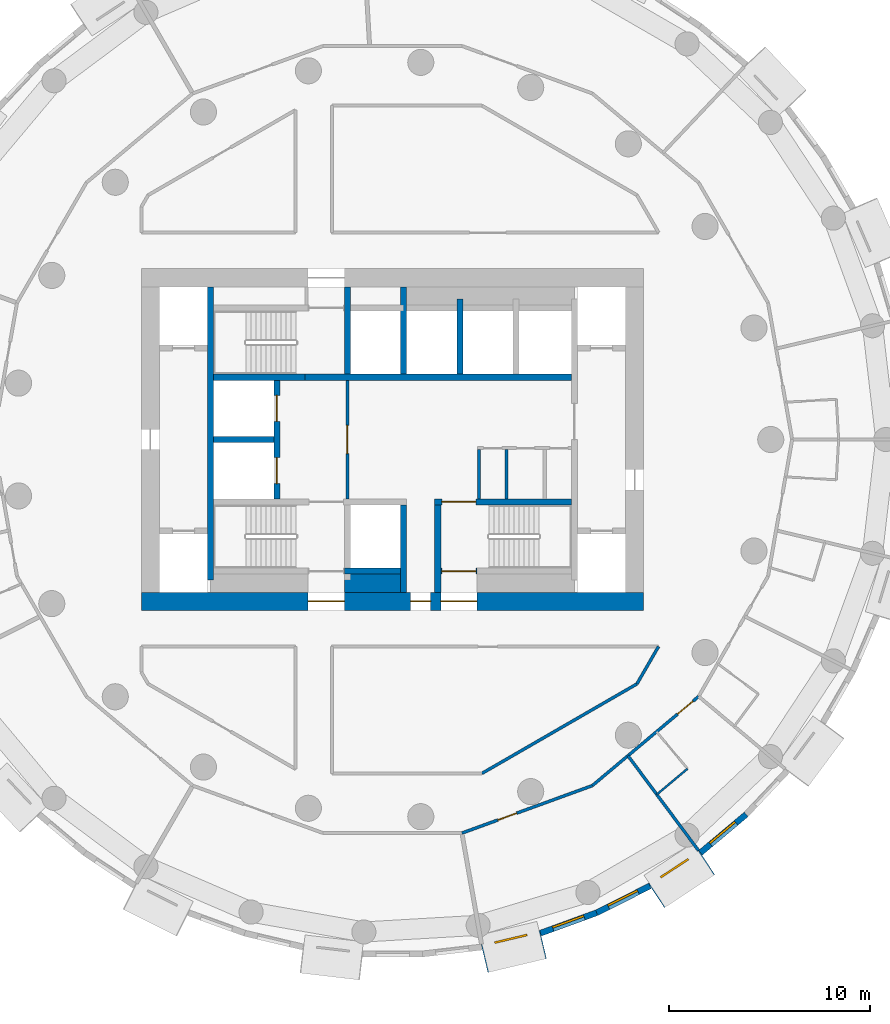
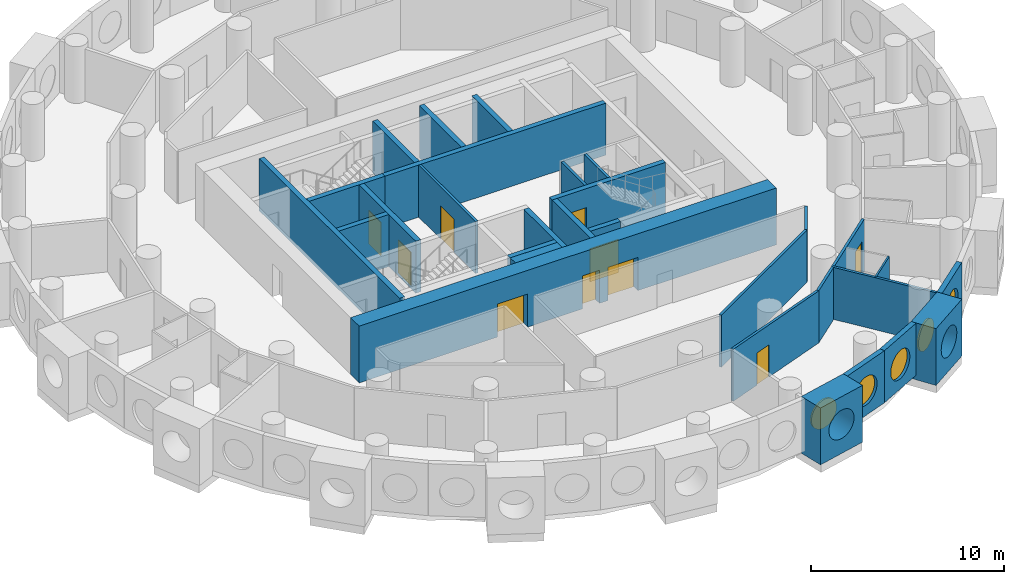
# One storey, part 4 of 10: 29 walls, 10 doors, 5 windows, 15 openings.
"""IFC4 building model written with IfcOpenShell, lengths in metres."""

from ifc_helpers import new_model, si_unit, direction, frame, frame_2d, origin, origin_2d, place, context, subcontext, project, spatial, rectangle, circle, extrude, material, layer, layer_set, type_object, element, fill, save


model = new_model("IFC4")

# Units and contexts
model_context = context("Model", 3, precision=1e-05, world=origin(), true_north=direction((0.0, 1.0)))
body_context = subcontext(model_context, "Body", "Model", "MODEL_VIEW")
ifc_project = project(units=[si_unit("LENGTHUNIT", "METRE"), si_unit("AREAUNIT", "SQUARE_METRE"), si_unit("VOLUMEUNIT", "CUBIC_METRE"), si_unit("PLANEANGLEUNIT", "RADIAN"), si_unit("MASSUNIT", "GRAM", prefix="KILO")], contexts=[model_context])

# Site, building, storey
site_placement = place(None, origin())
site = spatial("IfcSite", under=ifc_project, at=site_placement, CompositionType="ELEMENT")
building_placement = place(site_placement, origin())
building = spatial("IfcBuilding", under=site, at=building_placement, Name="Tracery Tower", CompositionType="ELEMENT")
storey_placement = place(building_placement, frame((0.0, 0.0, 194.39990234375)))
storey = spatial("IfcBuildingStorey", under=building, at=storey_placement, Name="L50", CompositionType="ELEMENT", Elevation=194.39990234375)

# Wall, opening, door
ifc_material_1 = material(Name="Plasterboard on steel studs", Category="steel")
ifc_layer_1 = layer(ifc_material_1, 0.14990234375)
ifc_layer_set_1 = layer_set([ifc_layer_1], Name="Core lobby partition 150")
wall_type_1 = type_object("IfcWallType", Name="Core lobby partition 150", PredefinedType="SOLIDWALL", material=ifc_layer_set_1)
wall_1_placement = place(storey_placement, frame((-2.25, -2.949951171875, 0.0), z_axis=(0.0, 0.0, 1.0), x_axis=(0.0, 1.0, 0.0)))
wall_1 = element("IfcWall", 1, at=wall_1_placement, inside=storey, type_object=wall_type_1, Name="L50 FF lobby E", PredefinedType="SOLIDWALL", context=body_context, shape_type="SweptSolid", body=[
    extrude(rectangle(XDim=5.89990234375, YDim=0.14990234375, at=frame_2d((2.949951171875, 0.0))), origin(), (0.0, 0.0, 1.0), 3.300048828125),
])
opening_1_placement = place(wall_1_placement, frame((2.25, 0.0, 0.0)))
opening_1 = element("IfcOpeningElement", 2, at=opening_1_placement, cuts=wall_1, Name="Opening KD8", PredefinedType="OPENING", context=body_context, shape_type="SweptSolid", body=[
    extrude(rectangle(XDim=1.39990234375, YDim=2.10009765625, at=frame_2d((0.699951171875, 1.050048828125))), frame((0.0, 0.074951171875, 0.0), z_axis=(0.0, -1.0, 0.0), x_axis=(1.0, 0.0, 0.0)), (0.0, 0.0, 1.0), 0.14990234375),
])
ifc_material_2 = material(Name="Steel fire door", Category="steel")
door_type_1 = type_object("IfcDoorType", Name="Core lobby door 1400 double", OperationType="NOTDEFINED", PredefinedType="DOOR", material=ifc_material_2)
door_1_placement = place(opening_1_placement, origin())
door_1 = element("IfcDoor", 3, at=door_1_placement, inside=storey, type_object=door_type_1, Name="Fire-fighting lobby door", OperationType="DOUBLE_DOOR_SINGLE_SWING", OverallHeight=2.10009765625, OverallWidth=1.39990234375, PredefinedType="DOOR", context=body_context, shape_type="SweptSolid", body=[
    extrude(rectangle(XDim=1.39990234375, YDim=2.10009765625, at=frame_2d((0.699951171875, 1.050048828125))), frame((0.0, 0.02490234375, 0.0), z_axis=(0.0, -1.0, 0.0), x_axis=(1.0, 0.0, 0.0)), (0.0, 0.0, 1.0), 0.050048828125),
])
fill(opening_1, door_1)

# Walls
ifc_material_3 = material(Name="Plasterboard on steel studs", Category="steel")
ifc_layer_2 = layer(ifc_material_3, 0.14990234375)
ifc_layer_set_2 = layer_set([ifc_layer_2], Name="Core room partition 150")
wall_type_2 = type_object("IfcWallType", Name="Core room partition 150", PredefinedType="SOLIDWALL", material=ifc_layer_set_2)
for number, where, z_axis, x_axis, name in (
    (4, (4.300048828125, -2.949951171875, 0.0), (0.0, 0.0, 1.0), (0.0, 1.0, 0.0), "L50 slot W"),
    (5, (5.675048828125, -2.949951171875, 0.0), (0.0, 0.0, 1.0), (0.0, 1.0, 0.0), "L50 slot sep 1"),
):
    element("IfcWall", number, at=place(storey_placement, frame(where, z_axis=z_axis, x_axis=x_axis)), inside=storey, type_object=wall_type_2, Name=name, PredefinedType="SOLIDWALL", context=body_context, shape_type="SweptSolid", body=[
        extrude(rectangle(XDim=2.449951171875, YDim=0.14990234375, at=frame_2d((1.22509765625, 0.0))), origin(), (0.0, 0.0, 1.0), 3.300048828125),
    ])
ifc_material_4 = material(Name="Concrete C50/60", Category="concrete")
ifc_layer_3 = layer(ifc_material_4, 0.89990234375)
ifc_layer_set_3 = layer_set([ifc_layer_3], Name="Core strip wall 900 C50")
wall_type_3 = type_object("IfcWallType", Name="Core strip wall 900 C50", PredefinedType="SOLIDWALL", material=ifc_layer_set_3)
wall_2_placement = place(storey_placement, frame((-2.39990234375, -7.14990234375, 0.0), z_axis=(0.0, 0.0, 1.0), x_axis=(1.0, 0.0, 0.0)))
element("IfcWall", 6, at=wall_2_placement, inside=storey, type_object=wall_type_3, Name="L50 F thick S mid", PredefinedType="SOLIDWALL", context=body_context, shape_type="SweptSolid", body=[
    extrude(rectangle(XDim=2.7998046875, YDim=0.89990234375, at=frame_2d((1.39990234375, 0.0))), origin(), (0.0, 0.0, 1.0), 3.300048828125),
])

# Wall, openings, doors
ifc_material_5 = material(Name="Concrete C50/60", Category="concrete")
ifc_layer_4 = layer(ifc_material_5, 0.89990234375)
ifc_layer_set_4 = layer_set([ifc_layer_4], Name="Core wall 900 C50")
wall_type_4 = type_object("IfcWallType", Name="Core wall 900 C50", PredefinedType="SOLIDWALL", material=ifc_layer_set_4)
wall_3_placement = place(storey_placement, frame((-12.5, -8.050048828125, 0.0), z_axis=(0.0, 0.0, 1.0), x_axis=(1.0, 0.0, 0.0)))
wall_3 = element("IfcWall", 7, at=wall_3_placement, inside=storey, type_object=wall_type_4, Name="L50 outer S", PredefinedType="SOLIDWALL", context=body_context, shape_type="SweptSolid", body=[
    extrude(rectangle(XDim=25.0, YDim=0.89990234375, at=frame_2d((12.5, 0.0))), origin(), (0.0, 0.0, 1.0), 3.60009765625),
])
opening_2_placement = place(wall_3_placement, frame((13.39990234375, 0.0, 0.0)))
opening_2 = element("IfcOpeningElement", 8, at=opening_2_placement, cuts=wall_3, Name="Opening KD16", PredefinedType="OPENING", context=body_context, shape_type="SweptSolid", body=[
    extrude(rectangle(XDim=1.0, YDim=2.10009765625, at=frame_2d((0.5, 1.050048828125))), frame((0.0, 0.449951171875, 0.0), z_axis=(0.0, -1.0, 0.0), x_axis=(1.0, 0.0, 0.0)), (0.0, 0.0, 1.0), 0.89990234375),
])
opening_3_placement = place(wall_3_placement, frame((8.300048828125, 0.0, 0.0)))
opening_3 = element("IfcOpeningElement", 9, at=opening_3_placement, cuts=wall_3, Name="Opening KD13", PredefinedType="OPENING", context=body_context, shape_type="SweptSolid", body=[
    extrude(rectangle(XDim=1.800048828125, YDim=2.10009765625, at=frame_2d((0.89990234375, 1.050048828125))), frame((0.0, 0.449951171875, 0.0), z_axis=(0.0, -1.0, 0.0), x_axis=(1.0, 0.0, 0.0)), (0.0, 0.0, 1.0), 0.89990234375),
])
opening_4_placement = place(wall_3_placement, frame((14.89990234375, 0.0, 0.0)))
opening_4 = element("IfcOpeningElement", 10, at=opening_4_placement, cuts=wall_3, Name="Opening KD13", PredefinedType="OPENING", context=body_context, shape_type="SweptSolid", body=[
    extrude(rectangle(XDim=1.800048828125, YDim=2.10009765625, at=frame_2d((0.89990234375, 1.050048828125))), frame((0.0, 0.449951171875, 0.0), z_axis=(0.0, -1.0, 0.0), x_axis=(1.0, 0.0, 0.0)), (0.0, 0.0, 1.0), 0.89990234375),
])
ifc_material_6 = material(Name="Steel fire door", Category="steel")
door_type_2 = type_object("IfcDoorType", Name="Core exit door 1000", OperationType="NOTDEFINED", PredefinedType="DOOR", material=ifc_material_6)
door_2_placement = place(opening_2_placement, origin())
door_2 = element("IfcDoor", 11, at=door_2_placement, inside=storey, type_object=door_type_2, Name="Core exit door", OperationType="SINGLE_SWING_LEFT", OverallHeight=2.10009765625, OverallWidth=1.0, PredefinedType="DOOR", context=body_context, shape_type="SweptSolid", body=[
    extrude(rectangle(XDim=1.0, YDim=2.10009765625, at=frame_2d((0.5, 1.050048828125))), frame((0.0, 0.02490234375, 0.0), z_axis=(0.0, -1.0, 0.0), x_axis=(1.0, 0.0, 0.0)), (0.0, 0.0, 1.0), 0.050048828125),
])
fill(opening_2, door_2)
ifc_material_7 = material(Name="Steel fire door", Category="steel")
door_type_3 = type_object("IfcDoorType", Name="Core exit door 1800 double", OperationType="NOTDEFINED", PredefinedType="DOOR", material=ifc_material_7)
door_3_placement = place(opening_3_placement, origin())
door_3 = element("IfcDoor", 12, at=door_3_placement, inside=storey, type_object=door_type_3, Name="Core exit door", OperationType="DOUBLE_DOOR_SINGLE_SWING", OverallHeight=2.10009765625, OverallWidth=1.800048828125, PredefinedType="DOOR", context=body_context, shape_type="SweptSolid", body=[
    extrude(rectangle(XDim=1.800048828125, YDim=2.10009765625, at=frame_2d((0.89990234375, 1.050048828125))), frame((0.0, 0.02490234375, 0.0), z_axis=(0.0, -1.0, 0.0), x_axis=(1.0, 0.0, 0.0)), (0.0, 0.0, 1.0), 0.050048828125),
])
fill(opening_3, door_3)
door_4_placement = place(opening_4_placement, origin())
door_4 = element("IfcDoor", 13, at=door_4_placement, inside=storey, type_object=door_type_3, Name="Core exit door", OperationType="DOUBLE_DOOR_SINGLE_SWING", OverallHeight=2.10009765625, OverallWidth=1.800048828125, PredefinedType="DOOR", context=body_context, shape_type="SweptSolid", body=[
    extrude(rectangle(XDim=1.800048828125, YDim=2.10009765625, at=frame_2d((0.89990234375, 1.050048828125))), frame((0.0, 0.02490234375, 0.0), z_axis=(0.0, -1.0, 0.0), x_axis=(1.0, 0.0, 0.0)), (0.0, 0.0, 1.0), 0.050048828125),
])
fill(opening_4, door_4)

# Wall, opening, window
ifc_material_8 = material(Name="Precast concrete C50/60", Category="concrete")
ifc_layer_5 = layer(ifc_material_8, 1.449951171875)
ifc_layer_set_5 = layer_set([ifc_layer_5], Name="Deep-set bay unit 3000 x 3600, slab edge 300")
wall_type_5 = type_object("IfcWallType", Name="Deep-set bay unit 3000 x 3600, slab edge 300", PredefinedType="ELEMENTEDWALL", material=ifc_layer_set_5)
wall_4_placement = place(storey_placement, frame((4.57763671875, -25.8193359375, -0.2998046875), z_axis=(0.0, 0.0, 1.0), x_axis=(0.973042333261, 0.23062657627, 0.0)))
wall_4 = element("IfcWall", 14, at=wall_4_placement, inside=storey, type_object=wall_type_5, Name="Deep-set bay unit 43 at L50", PredefinedType="ELEMENTEDWALL", context=body_context, shape_type="SweptSolid", body=[
    extrude(rectangle(XDim=3.0, YDim=1.449951171875, at=frame_2d((1.5, 0.0))), origin(), (0.0, 0.0, 1.0), 3.599853515625),
])
opening_5_placement = place(wall_4_placement, frame((1.5, 0.0, 1.85009765625)))
opening_5 = element("IfcOpeningElement", 15, at=opening_5_placement, cuts=wall_4, Name="Opening WN1", PredefinedType="OPENING", context=body_context, shape_type="SweptSolid", body=[
    extrude(circle(Radius=0.9000244140625, at=origin_2d()), frame((0.0, 0.73486328125, 0.0), z_axis=(0.0, -1.0, 0.0), x_axis=(1.0, 0.0, 0.0)), (0.0, 0.0, 1.0), 1.469970703125),
])
ifc_material_9 = material(Name="Aluminium frame with tinted double glazing", Category="aluminium")
window_type = type_object("IfcWindowType", Name="Round window 1800", PartitioningType="SINGLE_PANEL", PredefinedType="WINDOW", material=ifc_material_9)
window_1_placement = place(opening_5_placement, origin())
window_1 = element("IfcWindow", 16, at=window_1_placement, inside=storey, type_object=window_type, Name="Round window 43 at L50", OverallHeight=1.800048828125, OverallWidth=1.800048828125, PartitioningType="SINGLE_PANEL", PredefinedType="WINDOW", context=body_context, shape_type="SweptSolid", body=[
    extrude(circle(Radius=0.9000244140625, at=origin_2d()), frame((0.0, 0.69482421875, 0.0), z_axis=(0.0, -1.0, 0.0), x_axis=(1.0, 0.0, 0.0)), (0.0, 0.0, 1.0), 0.10009765625),
])
fill(opening_5, window_1)

wall_5_placement = place(storey_placement, frame((13.13232421875, -22.696533203125, -0.2998046875), z_axis=(0.0, 0.0, 1.0), x_axis=(0.835514416706, 0.549468524554, 0.0)))
wall_5 = element("IfcWall", 17, at=wall_5_placement, inside=storey, type_object=wall_type_5, Name="Deep-set bay unit 46 at L50", PredefinedType="ELEMENTEDWALL", context=body_context, shape_type="SweptSolid", body=[
    extrude(rectangle(XDim=3.0, YDim=1.449951171875, at=frame_2d((1.5, 0.0))), origin(), (0.0, 0.0, 1.0), 3.599853515625),
])
opening_6_placement = place(wall_5_placement, frame((1.5, 0.0, 1.85009765625)))
opening_6 = element("IfcOpeningElement", 18, at=opening_6_placement, cuts=wall_5, Name="Opening WN1", PredefinedType="OPENING", context=body_context, shape_type="SweptSolid", body=[
    extrude(circle(Radius=0.9000244140625, at=origin_2d()), frame((0.0, 0.73486328125, 0.0), z_axis=(0.0, -1.0, 0.0), x_axis=(1.0, 0.0, 0.0)), (0.0, 0.0, 1.0), 1.469970703125),
])
window_2_placement = place(opening_6_placement, origin())
window_2 = element("IfcWindow", 19, at=window_2_placement, inside=storey, type_object=window_type, Name="Round window 46 at L50", OverallHeight=1.800048828125, OverallWidth=1.800048828125, PartitioningType="SINGLE_PANEL", PredefinedType="WINDOW", context=body_context, shape_type="SweptSolid", body=[
    extrude(circle(Radius=0.9000244140625, at=origin_2d()), frame((0.0, 0.69482421875, 0.0), z_axis=(0.0, -1.0, 0.0), x_axis=(1.0, 0.0, 0.0)), (0.0, 0.0, 1.0), 0.10009765625),
])
fill(opening_6, window_2)

ifc_material_10 = material(Name="Precast concrete C50/60", Category="concrete")
ifc_layer_6 = layer(ifc_material_10, 0.300048828125)
ifc_layer_set_6 = layer_set([ifc_layer_6], Name="Facade panel 3000 x 3300")
wall_type_6 = type_object("IfcWallType", Name="Facade panel 3000 x 3300", PredefinedType="SOLIDWALL", material=ifc_layer_set_6)
wall_6_placement = place(storey_placement, frame((7.36474609375, -24.566650390625, 0.0), z_axis=(0.0, 0.0, 1.0), x_axis=(0.939690282133, 0.342026568652, 0.0)))
wall_6 = element("IfcWall", 20, at=wall_6_placement, inside=storey, type_object=wall_type_6, Name="Facade panel 44 at L50", PredefinedType="SOLIDWALL", context=body_context, shape_type="SweptSolid", body=[
    extrude(rectangle(XDim=2.972900390625, YDim=0.300048828125, at=frame_2d((1.486328125, 0.0))), origin(), (0.0, 0.0, 1.0), 3.300048828125),
])
opening_7_placement = place(wall_6_placement, frame((1.486328125, 0.0, 1.5498046875)))
opening_7 = element("IfcOpeningElement", 21, at=opening_7_placement, cuts=wall_6, Name="Opening WN1", PredefinedType="OPENING", context=body_context, shape_type="SweptSolid", body=[
    extrude(circle(Radius=0.9000244140625, at=origin_2d()), frame((0.0, 0.159912109375, 0.0), z_axis=(0.0, -1.0, 0.0), x_axis=(1.0, 0.0, 0.0)), (0.0, 0.0, 1.0), 0.320068359375),
])
window_3_placement = place(opening_7_placement, origin())
window_3 = element("IfcWindow", 22, at=window_3_placement, inside=storey, type_object=window_type, Name="Round window 44 at L50", OverallHeight=1.800048828125, OverallWidth=1.800048828125, PartitioningType="SINGLE_PANEL", PredefinedType="WINDOW", context=body_context, shape_type="SweptSolid", body=[
    extrude(circle(Radius=0.9000244140625, at=origin_2d()), frame((0.0, 0.1201171875, 0.0), z_axis=(0.0, -1.0, 0.0), x_axis=(1.0, 0.0, 0.0)), (0.0, 0.0, 1.0), 0.10009765625),
])
fill(opening_7, window_3)

wall_7_placement = place(storey_placement, frame((10.158447265625, -23.5498046875, 0.0), z_axis=(0.0, 0.0, 1.0), x_axis=(0.893637442555, 0.448789618045, 0.0)))
wall_7 = element("IfcWall", 23, at=wall_7_placement, inside=storey, type_object=wall_type_6, Name="Facade panel 45 at L50", PredefinedType="SOLIDWALL", context=body_context, shape_type="SweptSolid", body=[
    extrude(rectangle(XDim=2.972900390625, YDim=0.300048828125, at=frame_2d((1.486328125, 0.0))), origin(), (0.0, 0.0, 1.0), 3.300048828125),
])
opening_8_placement = place(wall_7_placement, frame((1.486328125, 0.0, 1.5498046875)))
opening_8 = element("IfcOpeningElement", 24, at=opening_8_placement, cuts=wall_7, Name="Opening WN1", PredefinedType="OPENING", context=body_context, shape_type="SweptSolid", body=[
    extrude(circle(Radius=0.9000244140625, at=origin_2d()), frame((0.0, 0.159912109375, 0.0), z_axis=(0.0, -1.0, 0.0), x_axis=(1.0, 0.0, 0.0)), (0.0, 0.0, 1.0), 0.320068359375),
])
window_4_placement = place(opening_8_placement, origin())
window_4 = element("IfcWindow", 25, at=window_4_placement, inside=storey, type_object=window_type, Name="Round window 45 at L50", OverallHeight=1.800048828125, OverallWidth=1.800048828125, PartitioningType="SINGLE_PANEL", PredefinedType="WINDOW", context=body_context, shape_type="SweptSolid", body=[
    extrude(circle(Radius=0.9000244140625, at=origin_2d()), frame((0.0, 0.1201171875, 0.0), z_axis=(0.0, -1.0, 0.0), x_axis=(1.0, 0.0, 0.0)), (0.0, 0.0, 1.0), 0.10009765625),
])
fill(opening_8, window_4)

wall_8_placement = place(storey_placement, frame((15.322998046875, -20.566162109375, 0.0), z_axis=(0.0, 0.0, 1.0), x_axis=(0.766049350637, 0.642781761089, 0.0)))
wall_8 = element("IfcWall", 26, at=wall_8_placement, inside=storey, type_object=wall_type_6, Name="Facade panel 47 at L50", PredefinedType="SOLIDWALL", context=body_context, shape_type="SweptSolid", body=[
    extrude(rectangle(XDim=2.972900390625, YDim=0.300048828125, at=frame_2d((1.486328125, 0.0))), origin(), (0.0, 0.0, 1.0), 3.300048828125),
])
opening_9_placement = place(wall_8_placement, frame((1.486328125, 0.0, 1.5498046875)))
opening_9 = element("IfcOpeningElement", 27, at=opening_9_placement, cuts=wall_8, Name="Opening WN1", PredefinedType="OPENING", context=body_context, shape_type="SweptSolid", body=[
    extrude(circle(Radius=0.9000244140625, at=origin_2d()), frame((0.0, 0.159912109375, 0.0), z_axis=(0.0, -1.0, 0.0), x_axis=(1.0, 0.0, 0.0)), (0.0, 0.0, 1.0), 0.320068359375),
])
window_5_placement = place(opening_9_placement, origin())
window_5 = element("IfcWindow", 28, at=window_5_placement, inside=storey, type_object=window_type, Name="Round window 47 at L50", OverallHeight=1.800048828125, OverallWidth=1.800048828125, PartitioningType="SINGLE_PANEL", PredefinedType="WINDOW", context=body_context, shape_type="SweptSolid", body=[
    extrude(circle(Radius=0.9000244140625, at=origin_2d()), frame((0.0, 0.1201171875, 0.0), z_axis=(0.0, -1.0, 0.0), x_axis=(1.0, 0.0, 0.0)), (0.0, 0.0, 1.0), 0.10009765625),
])
fill(opening_9, window_5)

# Walls
ifc_material_11 = material(Name="Plasterboard on steel studs", Category="steel")
ifc_layer_7 = layer(ifc_material_11, 0.10009765625)
ifc_layer_set_7 = layer_set([ifc_layer_7], Name="Partition 100 wet wall")
wall_type_7 = type_object("IfcWallType", Name="Partition 100 wet wall", PredefinedType="PARTITIONING", material=ifc_layer_set_7)
wall_9_placement = place(storey_placement, frame((13.15087890625, -17.6650390625, 0.0), z_axis=(0.0, 0.0, 1.0), x_axis=(0.766224532916, 0.642572925945, 0.0)))
element("IfcWall", 29, at=wall_9_placement, inside=storey, type_object=wall_type_7, Name="Wet wall RB7-058", PredefinedType="PARTITIONING", context=body_context, shape_type="SweptSolid", body=[
    extrude(rectangle(XDim=1.998046875, YDim=0.10009765625, at=frame_2d((0.9990234375, 0.0))), origin(), (0.0, 0.0, 1.0), 3.300048828125),
])
ifc_material_12 = material(Name="Plasterboard on steel studs", Category="steel")
ifc_layer_8 = layer(ifc_material_12, 0.14990234375)
ifc_layer_set_8 = layer_set([ifc_layer_8], Name="Partition 150 acoustic unit wall")
wall_type_8 = type_object("IfcWallType", Name="Partition 150 acoustic unit wall", PredefinedType="PARTITIONING", material=ifc_layer_set_8)
wall_10_placement = place(storey_placement, frame((11.716796875, -15.736328125, 0.0), z_axis=(0.0, 0.0, 1.0), x_axis=(0.597012012598, -0.802232296043, 0.0)))
element("IfcWall", 30, at=wall_10_placement, inside=storey, type_object=wall_type_8, Name="Unit wall RB7-057", PredefinedType="PARTITIONING", context=body_context, shape_type="SweptSolid", body=[
    extrude(rectangle(XDim=5.878173828125, YDim=0.14990234375, at=frame_2d((2.93896484375, 0.0))), origin(), (0.0, 0.0, 1.0), 3.300048828125),
])
ifc_material_13 = material(Name="Plasterboard on steel studs", Category="steel")
ifc_layer_9 = layer(ifc_material_13, 0.14990234375)
ifc_layer_set_9 = layer_set([ifc_layer_9], Name="Partition 150 corridor wall")
wall_type_9 = type_object("IfcWallType", Name="Partition 150 corridor wall", PredefinedType="PARTITIONING", material=ifc_layer_set_9)
wall_11_placement = place(storey_placement, frame((12.162109375, -12.162109375, 0.0), z_axis=(0.0, 0.0, 1.0), x_axis=(0.499961633463, 0.866047553582, 0.0)))
element("IfcWall", 31, at=wall_11_placement, inside=storey, type_object=wall_type_9, Name="Corridor wall RB7-006", PredefinedType="PARTITIONING", context=body_context, shape_type="SweptSolid", body=[
    extrude(rectangle(XDim=2.150146484375, YDim=0.14990234375, at=frame_2d((1.0751953125, 0.0))), origin(), (0.0, 0.0, 1.0), 3.300048828125),
])

# Wall, opening, door
wall_12_placement = place(storey_placement, frame((9.943359375, -17.22216796875, 0.0), z_axis=(0.0, 0.0, 1.0), x_axis=(0.766192104565, 0.642611592567, 0.0)))
wall_12 = element("IfcWall", 32, at=wall_12_placement, inside=storey, type_object=wall_type_9, Name="Corridor wall RB7-010", PredefinedType="PARTITIONING", context=body_context, shape_type="SweptSolid", body=[
    extrude(rectangle(XDim=6.906494140625, YDim=0.14990234375, at=frame_2d((3.453125, 0.0))), origin(), (0.0, 0.0, 1.0), 3.300048828125),
])
opening_10_placement = place(wall_12_placement, frame((5.53662109375, 0.0, 0.0)))
opening_10 = element("IfcOpeningElement", 33, at=opening_10_placement, cuts=wall_12, Name="Opening RB7-20", PredefinedType="OPENING", context=body_context, shape_type="SweptSolid", body=[
    extrude(rectangle(XDim=1.0, YDim=2.10009765625, at=frame_2d((0.5, 1.050048828125))), frame((0.0, 0.074951171875, 0.0), z_axis=(0.0, -1.0, 0.0), x_axis=(1.0, 0.0, 0.0)), (0.0, 0.0, 1.0), 0.14990234375),
])
ifc_material_14 = material(Name="Timber door leaf", Category="wood")
door_type_4 = type_object("IfcDoorType", Name="Door unit entrance 1000", OperationType="NOTDEFINED", PredefinedType="DOOR", material=ifc_material_14)
door_5_placement = place(opening_10_placement, origin())
door_5 = element("IfcDoor", 34, at=door_5_placement, inside=storey, type_object=door_type_4, Name="Unit entrance door RB7-20", OperationType="SINGLE_SWING_RIGHT", OverallHeight=2.10009765625, OverallWidth=1.0, PredefinedType="DOOR", context=body_context, shape_type="SweptSolid", body=[
    extrude(rectangle(XDim=1.0, YDim=2.10009765625, at=frame_2d((0.5, 1.050048828125))), frame((0.0, 0.02490234375, 0.0), z_axis=(0.0, -1.0, 0.0), x_axis=(1.0, 0.0, 0.0)), (0.0, 0.0, 1.0), 0.050048828125),
])
fill(opening_10, door_5)

# Wall
wall_13_placement = place(storey_placement, frame((4.451904296875, -16.614013671875, 0.0), z_axis=(0.0, 0.0, 1.0), x_axis=(0.866005203721, 0.500034985904, 0.0)))
element("IfcWall", 35, at=wall_13_placement, inside=storey, type_object=wall_type_9, Name="Corridor wall RB7-036", PredefinedType="PARTITIONING", context=body_context, shape_type="SweptSolid", body=[
    extrude(rectangle(XDim=8.903076171875, YDim=0.14990234375, at=frame_2d((4.45166015625, 0.0))), origin(), (0.0, 0.0, 1.0), 3.300048828125),
])

# Wall, opening, door
wall_14_placement = place(storey_placement, frame((3.452880859375, -19.5859375, 0.0), z_axis=(0.0, 0.0, 1.0), x_axis=(0.939672634566, 0.342075050021, 0.0)))
wall_14 = element("IfcWall", 36, at=wall_14_placement, inside=storey, type_object=wall_type_9, Name="Corridor wall RB7-039", PredefinedType="PARTITIONING", context=body_context, shape_type="SweptSolid", body=[
    extrude(rectangle(XDim=6.907958984375, YDim=0.14990234375, at=frame_2d((3.4541015625, 0.0))), origin(), (0.0, 0.0, 1.0), 3.300048828125),
])
opening_11_placement = place(wall_14_placement, frame((1.90380859375, 0.0, 0.0)))
opening_11 = element("IfcOpeningElement", 37, at=opening_11_placement, cuts=wall_14, Name="Opening RB7-18", PredefinedType="OPENING", context=body_context, shape_type="SweptSolid", body=[
    extrude(rectangle(XDim=1.0, YDim=2.0400390625, at=frame_2d((0.5, 1.02001953125))), frame((0.0, 0.074951171875, 0.0), z_axis=(0.0, -1.0, 0.0), x_axis=(1.0, 0.0, 0.0)), (0.0, 0.0, 1.0), 0.14990234375),
])
ifc_material_15 = material(Name="Timber door leaf", Category="wood")
door_type_5 = type_object("IfcDoorType", Name="Door communal room 1000", OperationType="NOTDEFINED", PredefinedType="DOOR", material=ifc_material_15)
door_6_placement = place(opening_11_placement, origin())
door_6 = element("IfcDoor", 38, at=door_6_placement, inside=storey, type_object=door_type_5, Name="Communal room door RB7-18", OperationType="SINGLE_SWING_RIGHT", OverallHeight=2.0400390625, OverallWidth=1.0, PredefinedType="DOOR", context=body_context, shape_type="SweptSolid", body=[
    extrude(rectangle(XDim=1.0, YDim=2.0400390625, at=frame_2d((0.5, 1.02001953125))), frame((0.0, 0.02490234375, 0.0), z_axis=(0.0, -1.0, 0.0), x_axis=(1.0, 0.0, 0.0)), (0.0, 0.0, 1.0), 0.050048828125),
])
fill(opening_11, door_6)

# Wall
ifc_material_16 = material(Name="Concrete C50/60", Category="concrete")
ifc_layer_10 = layer(ifc_material_16, 0.300048828125)
ifc_layer_set_10 = layer_set([ifc_layer_10], Name="Shaft wall 300 C50")
wall_type_10 = type_object("IfcWallType", Name="Shaft wall 300 C50", PredefinedType="SOLIDWALL", material=ifc_layer_set_10)
wall_15_placement = place(storey_placement, frame((-8.89990234375, 0.0, 0.0), z_axis=(0.0, 0.0, 1.0), x_axis=(1.0, 0.0, 0.0)))
element("IfcWall", 39, at=wall_15_placement, inside=storey, type_object=wall_type_10, Name="L50 FF split", PredefinedType="SOLIDWALL", context=body_context, shape_type="SweptSolid", body=[
    extrude(rectangle(XDim=3.0, YDim=0.300048828125, at=frame_2d((1.5, 0.0))), origin(), (0.0, 0.0, 1.0), 3.300048828125),
])

# Wall, openings, doors
wall_16_placement = place(storey_placement, frame((-5.75, -2.949951171875, 0.0), z_axis=(0.0, 0.0, 1.0), x_axis=(0.0, 1.0, 0.0)))
wall_16 = element("IfcWall", 40, at=wall_16_placement, inside=storey, type_object=wall_type_10, Name="L50 FF doors", PredefinedType="SOLIDWALL", context=body_context, shape_type="SweptSolid", body=[
    extrude(rectangle(XDim=5.89990234375, YDim=0.300048828125, at=frame_2d((2.949951171875, 0.0))), origin(), (0.0, 0.0, 1.0), 3.300048828125),
])
opening_12_placement = place(wall_16_placement, frame((0.75, 0.0, 0.0)))
opening_12 = element("IfcOpeningElement", 41, at=opening_12_placement, cuts=wall_16, Name="Opening KD54", PredefinedType="OPENING", context=body_context, shape_type="SweptSolid", body=[
    extrude(rectangle(XDim=1.300048828125, YDim=2.10009765625, at=frame_2d((0.64990234375, 1.050048828125))), frame((0.0, 0.14990234375, 0.0), z_axis=(0.0, -1.0, 0.0), x_axis=(1.0, 0.0, 0.0)), (0.0, 0.0, 1.0), 0.300048828125),
])
opening_13_placement = place(wall_16_placement, frame((3.85009765625, 0.0, 0.0)))
opening_13 = element("IfcOpeningElement", 42, at=opening_13_placement, cuts=wall_16, Name="Opening KD55", PredefinedType="OPENING", context=body_context, shape_type="SweptSolid", body=[
    extrude(rectangle(XDim=1.300048828125, YDim=2.10009765625, at=frame_2d((0.64990234375, 1.050048828125))), frame((0.0, 0.14990234375, 0.0), z_axis=(0.0, -1.0, 0.0), x_axis=(1.0, 0.0, 0.0)), (0.0, 0.0, 1.0), 0.300048828125),
])
ifc_material_17 = material(Name="Steel fire door", Category="steel")
door_type_6 = type_object("IfcDoorType", Name="Landing door FF 1300", OperationType="NOTDEFINED", PredefinedType="DOOR", material=ifc_material_17)
door_7_placement = place(opening_12_placement, origin())
door_7 = element("IfcDoor", 43, at=door_7_placement, inside=storey, type_object=door_type_6, Name="Landing door FF1", OperationType="SLIDING_TO_LEFT", OverallHeight=2.10009765625, OverallWidth=1.300048828125, PredefinedType="DOOR", context=body_context, shape_type="SweptSolid", body=[
    extrude(rectangle(XDim=1.300048828125, YDim=2.10009765625, at=frame_2d((0.64990234375, 1.050048828125))), frame((0.0, 0.02490234375, 0.0), z_axis=(0.0, -1.0, 0.0), x_axis=(1.0, 0.0, 0.0)), (0.0, 0.0, 1.0), 0.050048828125),
])
fill(opening_12, door_7)
door_8_placement = place(opening_13_placement, origin())
door_8 = element("IfcDoor", 44, at=door_8_placement, inside=storey, type_object=door_type_6, Name="Landing door FF2", OperationType="SLIDING_TO_RIGHT", OverallHeight=2.10009765625, OverallWidth=1.300048828125, PredefinedType="DOOR", context=body_context, shape_type="SweptSolid", body=[
    extrude(rectangle(XDim=1.300048828125, YDim=2.10009765625, at=frame_2d((0.64990234375, 1.050048828125))), frame((0.0, 0.02490234375, 0.0), z_axis=(0.0, -1.0, 0.0), x_axis=(1.0, 0.0, 0.0)), (0.0, 0.0, 1.0), 0.050048828125),
])
fill(opening_13, door_8)

# Walls
for number, where, z_axis, x_axis, name in (
    (45, (0.550048828125, -7.60009765625, 0.0), (0.0, 0.0, 1.0), (0.0, 1.0, 0.0), "L50 OB2 E"),
    (46, (0.550048828125, 3.25, 0.0), (0.0, 0.0, 1.0), (0.0, 1.0, 0.0), "L50 HR sep 1"),
):
    element("IfcWall", number, at=place(storey_placement, frame(where, z_axis=z_axis, x_axis=x_axis)), inside=storey, type_object=wall_type_10, Name=name, PredefinedType="SOLIDWALL", context=body_context, shape_type="SweptSolid", body=[
        extrude(rectangle(XDim=4.35009765625, YDim=0.300048828125, at=frame_2d((2.175048828125, 0.0))), origin(), (0.0, 0.0, 1.0), 3.300048828125),
    ])
wall_17_placement = place(storey_placement, frame((3.35009765625, 3.25, 0.0), z_axis=(0.0, 0.0, 1.0), x_axis=(0.0, 1.0, 0.0)))
element("IfcWall", 47, at=wall_17_placement, inside=storey, type_object=wall_type_10, Name="L50 HR sep 2", PredefinedType="SOLIDWALL", context=body_context, shape_type="SweptSolid", body=[
    extrude(rectangle(XDim=3.75, YDim=0.300048828125, at=frame_2d((1.875, 0.0))), origin(), (0.0, 0.0, 1.0), 3.300048828125),
])

# Wall, opening, door
ifc_material_18 = material(Name="Concrete C50/60", Category="concrete")
ifc_layer_11 = layer(ifc_material_18, 0.300048828125)
ifc_layer_set_11 = layer_set([ifc_layer_11], Name="Stair wall 300 C50")
wall_type_11 = type_object("IfcWallType", Name="Stair wall 300 C50", PredefinedType="SOLIDWALL", material=ifc_layer_set_11)
wall_18_placement = place(storey_placement, frame((2.10009765625, -3.10009765625, 0.0), z_axis=(0.0, 0.0, 1.0), x_axis=(1.0, 0.0, 0.0)))
wall_18 = element("IfcWall", 48, at=wall_18_placement, inside=storey, type_object=wall_type_11, Name="L50 row S E", PredefinedType="SOLIDWALL", context=body_context, shape_type="SweptSolid", body=[
    extrude(rectangle(XDim=6.7998046875, YDim=0.300048828125, at=frame_2d((3.39990234375, 0.0))), origin(), (0.0, 0.0, 1.0), 3.300048828125),
])
opening_14_placement = place(wall_18_placement, frame((0.35009765625, 0.0, 0.0)))
opening_14 = element("IfcOpeningElement", 49, at=opening_14_placement, cuts=wall_18, Name="Opening KD3", PredefinedType="OPENING", context=body_context, shape_type="SweptSolid", body=[
    extrude(rectangle(XDim=1.699951171875, YDim=2.10009765625, at=frame_2d((0.85009765625, 1.050048828125))), frame((0.0, 0.14990234375, 0.0), z_axis=(0.0, -1.0, 0.0), x_axis=(1.0, 0.0, 0.0)), (0.0, 0.0, 1.0), 0.300048828125),
])
ifc_material_19 = material(Name="Steel fire door", Category="steel")
door_type_7 = type_object("IfcDoorType", Name="Core stair door 1700 double", OperationType="NOTDEFINED", PredefinedType="DOOR", material=ifc_material_19)
door_9_placement = place(opening_14_placement, origin())
door_9 = element("IfcDoor", 50, at=door_9_placement, inside=storey, type_object=door_type_7, Name="Stair door ST2", OperationType="DOUBLE_DOOR_SINGLE_SWING", OverallHeight=2.10009765625, OverallWidth=1.699951171875, PredefinedType="DOOR", context=body_context, shape_type="SweptSolid", body=[
    extrude(rectangle(XDim=1.699951171875, YDim=2.10009765625, at=frame_2d((0.85009765625, 1.050048828125))), frame((0.0, 0.02490234375, 0.0), z_axis=(0.0, -1.0, 0.0), x_axis=(1.0, 0.0, 0.0)), (0.0, 0.0, 1.0), 0.050048828125),
])
fill(opening_14, door_9)

# Walls
wall_19_placement = place(storey_placement, frame((-8.89990234375, 3.10009765625, 0.0), z_axis=(0.0, 0.0, 1.0), x_axis=(1.0, 0.0, 0.0)))
element("IfcWall", 51, at=wall_19_placement, inside=storey, type_object=wall_type_11, Name="L50 row N W", PredefinedType="SOLIDWALL", context=body_context, shape_type="SweptSolid", body=[
    extrude(rectangle(XDim=4.5498046875, YDim=0.300048828125, at=frame_2d((2.27490234375, 0.0))), origin(), (0.0, 0.0, 1.0), 3.300048828125),
])
wall_20_placement = place(storey_placement, frame((-4.35009765625, 3.10009765625, 0.0), z_axis=(0.0, 0.0, 1.0), x_axis=(1.0, 0.0, 0.0)))
element("IfcWall", 52, at=wall_20_placement, inside=storey, type_object=wall_type_11, Name="L50 row N", PredefinedType="SOLIDWALL", context=body_context, shape_type="SweptSolid", body=[
    extrude(rectangle(XDim=13.25, YDim=0.300048828125, at=frame_2d((6.625, 0.0))), origin(), (0.0, 0.0, 1.0), 3.300048828125),
])
for number, where, z_axis, x_axis, name in (
    (53, (-2.25, 3.25, 0.0), (0.0, 0.0, 1.0), (0.0, 1.0, 0.0), "L50 ST3 E"),
    (54, (2.25, -7.60009765625, 0.0), (0.0, 0.0, 1.0), (0.0, 1.0, 0.0), "L50 ST2 W"),
):
    element("IfcWall", number, at=place(storey_placement, frame(where, z_axis=z_axis, x_axis=x_axis)), inside=storey, type_object=wall_type_11, Name=name, PredefinedType="SOLIDWALL", context=body_context, shape_type="SweptSolid", body=[
        extrude(rectangle(XDim=4.35009765625, YDim=0.300048828125, at=frame_2d((2.175048828125, 0.0))), origin(), (0.0, 0.0, 1.0), 3.300048828125),
    ])
wall_21_placement = place(storey_placement, frame((-9.050048828125, -7.0, 0.0), z_axis=(0.0, 0.0, 1.0), x_axis=(0.0, 1.0, 0.0)))
element("IfcWall", 55, at=wall_21_placement, inside=storey, type_object=wall_type_11, Name="L50 F wall -9", PredefinedType="SOLIDWALL", context=body_context, shape_type="SweptSolid", body=[
    extrude(rectangle(XDim=14.60009765625, YDim=0.300048828125, at=frame_2d((7.300048828125, 0.0))), origin(), (0.0, 0.0, 1.0), 3.300048828125),
])
wall_22_placement = place(storey_placement, frame((-2.39990234375, -6.550048828125, 0.0), z_axis=(0.0, 0.0, 1.0), x_axis=(1.0, 0.0, 0.0)))
element("IfcWall", 56, at=wall_22_placement, inside=storey, type_object=wall_type_11, Name="L50 F stair strip S mid", PredefinedType="SOLIDWALL", context=body_context, shape_type="SweptSolid", body=[
    extrude(rectangle(XDim=2.7998046875, YDim=0.300048828125, at=frame_2d((1.39990234375, 0.0))), origin(), (0.0, 0.0, 1.0), 3.300048828125),
])

# Wall, opening, door
wall_23_placement = place(storey_placement, frame((2.39990234375, -6.550048828125, 0.0), z_axis=(0.0, 0.0, 1.0), x_axis=(1.0, 0.0, 0.0)))
wall_23 = element("IfcWall", 57, at=wall_23_placement, inside=storey, type_object=wall_type_11, Name="L50 F stair S E", PredefinedType="SOLIDWALL", context=body_context, shape_type="SweptSolid", body=[
    extrude(rectangle(XDim=1.800048828125, YDim=0.300048828125, at=frame_2d((0.89990234375, 0.0))), origin(), (0.0, 0.0, 1.0), 3.300048828125),
])
opening_15_placement = place(wall_23_placement, frame((0.050048828125, 0.0, 0.0)))
opening_15 = element("IfcOpeningElement", 58, at=opening_15_placement, cuts=wall_23, Name="Opening KD3", PredefinedType="OPENING", context=body_context, shape_type="SweptSolid", body=[
    extrude(rectangle(XDim=1.699951171875, YDim=2.10009765625, at=frame_2d((0.85009765625, 1.050048828125))), frame((0.0, 0.14990234375, 0.0), z_axis=(0.0, -1.0, 0.0), x_axis=(1.0, 0.0, 0.0)), (0.0, 0.0, 1.0), 0.300048828125),
])
door_10_placement = place(opening_15_placement, origin())
door_10 = element("IfcDoor", 59, at=door_10_placement, inside=storey, type_object=door_type_7, Name="Stair door vest", OperationType="DOUBLE_DOOR_SINGLE_SWING", OverallHeight=2.10009765625, OverallWidth=1.699951171875, PredefinedType="DOOR", context=body_context, shape_type="SweptSolid", body=[
    extrude(rectangle(XDim=1.699951171875, YDim=2.10009765625, at=frame_2d((0.85009765625, 1.050048828125))), frame((0.0, 0.02490234375, 0.0), z_axis=(0.0, -1.0, 0.0), x_axis=(1.0, 0.0, 0.0)), (0.0, 0.0, 1.0), 0.050048828125),
])
fill(opening_15, door_10)

save(model, "model.ifc")
